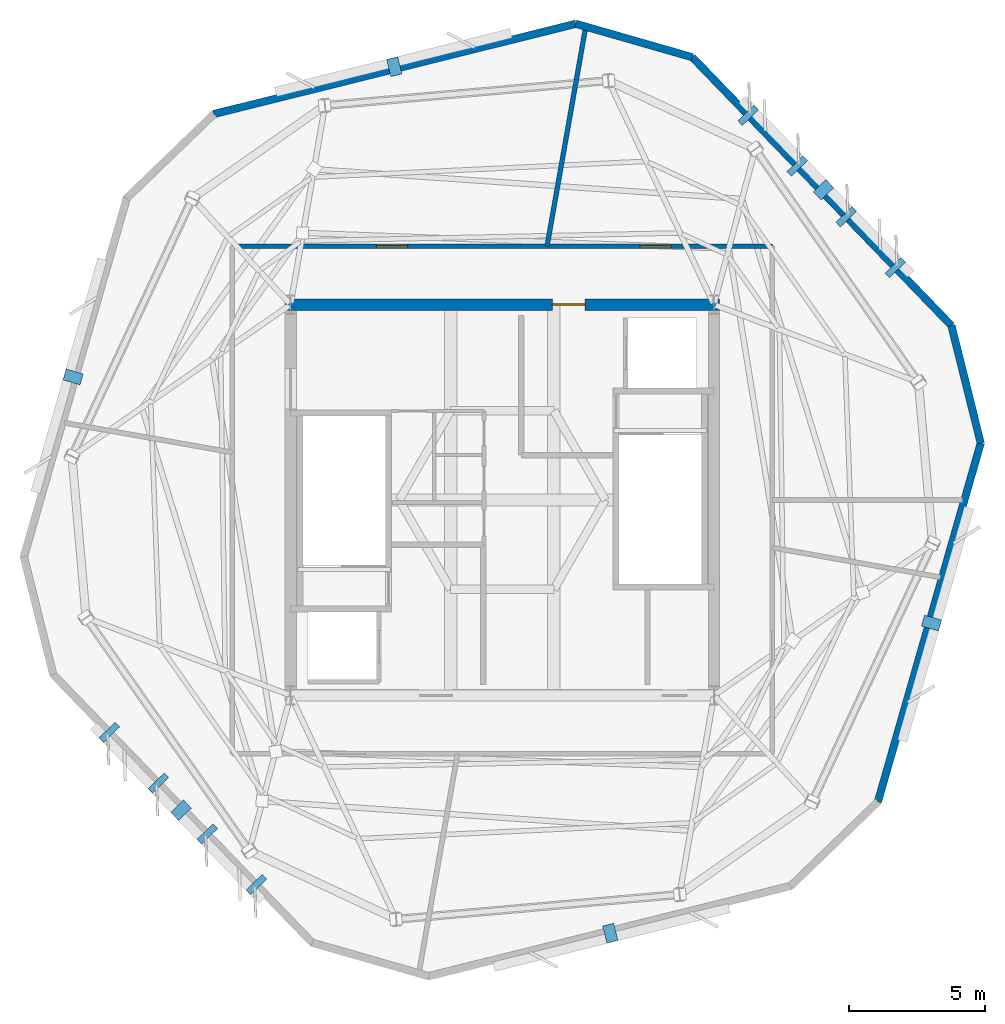
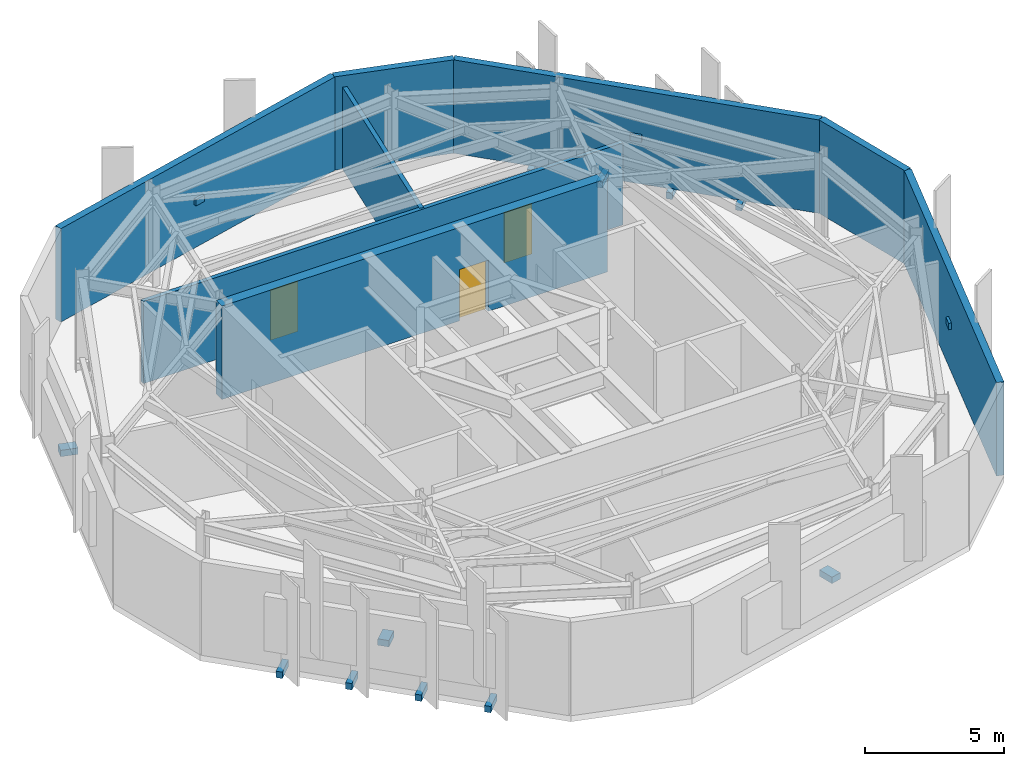
# One storey, part 4 of 5: 14 discrete accessories, 8 walls, 3 doors, 3 openings.
"""IFC4 building model written with IfcOpenShell, lengths in metres."""

from ifc_helpers import new_model, si_unit, direction, frame, frame_2d, origin, origin_2d, place, context, subcontext, project, spatial, rectangle, extrude, material, layer, layer_set, type_object, element, fill, save


model = new_model("IFC4")

# Units and contexts
model_context = context("Model", 3, precision=1e-05, world=origin(), true_north=direction((0.0, 1.0)))
body_context = subcontext(model_context, "Body", "Model", "MODEL_VIEW")
ifc_project = project(units=[si_unit("LENGTHUNIT", "METRE"), si_unit("AREAUNIT", "SQUARE_METRE"), si_unit("VOLUMEUNIT", "CUBIC_METRE"), si_unit("PLANEANGLEUNIT", "RADIAN"), si_unit("MASSUNIT", "GRAM", prefix="KILO")], contexts=[model_context])

# Site, building, storey
site_placement = place(None, origin())
site = spatial("IfcSite", under=ifc_project, at=site_placement, CompositionType="ELEMENT")
building_placement = place(site_placement, origin())
building = spatial("IfcBuilding", under=site, at=building_placement, Name="Kranzbogen Civic Tower", CompositionType="ELEMENT")
storey_placement = place(building_placement, frame((0.0, 0.0, 322.60009765625)))
storey = spatial("IfcBuildingStorey", under=building, at=storey_placement, Name="L78", CompositionType="ELEMENT", Elevation=322.60009765625)

# Wall, opening, door
ifc_material_1 = material(Name="Concrete C45/55", Category="concrete")
ifc_layer_1 = layer(ifc_material_1, 0.419921875, Name="Concrete C45/55")
ifc_layer_set_1 = layer_set([ifc_layer_1], Name="Concrete C45/55")
wall_type_1 = type_object("IfcWallType", Name="Central Core Shear Wall 420 mm", PredefinedType="SHEAR", material=ifc_layer_set_1)
wall_1_placement = place(storey_placement, frame((33.010009765625, 32.199951171875, 0.0), z_axis=(0.0, 0.0, 1.0), x_axis=(-1.0, 0.0, 0.0)))
wall_1 = element("IfcWall", 1, at=wall_1_placement, inside=storey, type_object=wall_type_1, Name="L78 central core North shear wall", PredefinedType="SHEAR", context=body_context, shape_type="SweptSolid", body=[
    extrude(rectangle(XDim=16.02001953125, YDim=0.419921875, at=frame_2d((8.010009765625, 0.0))), origin(), (0.0, 0.0, 1.0), 4.099853515625),
])
opening_1_placement = place(wall_1_placement, frame((4.9599609375, 0.0, 0.0)))
opening_1 = element("IfcOpeningElement", 2, at=opening_1_placement, cuts=wall_1, Name="Opening D-EX120", PredefinedType="OPENING", context=body_context, shape_type="SweptSolid", body=[
    extrude(rectangle(XDim=1.199951171875, YDim=2.25, at=frame_2d((0.60009765625, 1.125))), frame((0.0, 0.219970703125, 0.0), z_axis=(0.0, -1.0, 0.0), x_axis=(1.0, 0.0, 0.0)), (0.0, 0.0, 1.0), 0.43994140625),
])
ifc_material_2 = material(Name="Steel S355", Category="steel")
door_type_1 = type_object("IfcDoorType", Name="Exit Passageway Fire Door 1200x2250", OperationType="NOTDEFINED", PredefinedType="DOOR", material=ifc_material_2)
door_1_placement = place(opening_1_placement, origin())
door_1 = element("IfcDoor", 3, at=door_1_placement, inside=storey, type_object=door_type_1, Name="L78 East firefighting lobby corridor door", OperationType="SINGLE_SWING_RIGHT", OverallHeight=2.25, OverallWidth=1.199951171875, PredefinedType="DOOR", context=body_context, shape_type="SweptSolid", body=[
    extrude(rectangle(XDim=1.199951171875, YDim=2.25, at=frame_2d((0.60009765625, 1.125))), frame((0.0, 0.02490234375, 0.0), z_axis=(0.0, -1.0, 0.0), x_axis=(1.0, 0.0, 0.0)), (0.0, 0.0, 1.0), 0.050048828125),
])
fill(opening_1, door_1)

# Wall, openings, doors
ifc_material_3 = material(Name="Gypsum Fireboard Shaftliner")
ifc_layer_2 = layer(ifc_material_3, 0.175048828125, Name="Gypsum Fireboard Shaftliner")
ifc_layer_set_2 = layer_set([ifc_layer_2], Name="Gypsum Fireboard Shaftliner")
wall_type_2 = type_object("IfcWallType", Name="Fire-Rated Lift and Service Shaft Wall 175 mm", PredefinedType="PARTITIONING", material=ifc_layer_set_2)
wall_2_placement = place(storey_placement, frame((15.050048828125, 34.35009765625, 0.0), z_axis=(0.0, 0.0, 1.0), x_axis=(1.0, 0.0, 0.0)))
wall_2 = element("IfcWall", 4, at=wall_2_placement, inside=storey, type_object=wall_type_2, Name="L78 corridor partition 01", PredefinedType="PARTITIONING", context=body_context, shape_type="SweptSolid", body=[
    extrude(rectangle(XDim=19.89990234375, YDim=0.175048828125, at=frame_2d((9.949951171875, 0.0))), origin(), (0.0, 0.0, 1.0), 3.599853515625),
])
opening_2_placement = place(wall_2_placement, frame((15.01611328125, 0.0, 0.0)))
opening_2 = element("IfcOpeningElement", 5, at=opening_2_placement, cuts=wall_2, Name="Opening D-ST90", PredefinedType="OPENING", context=body_context, shape_type="SweptSolid", body=[
    extrude(rectangle(XDim=1.14990234375, YDim=2.199951171875, at=frame_2d((0.574951171875, 1.10009765625))), frame((0.0, 0.09765625, 0.0), z_axis=(0.0, -1.0, 0.0), x_axis=(1.0, 0.0, 0.0)), (0.0, 0.0, 1.0), 0.195068359375),
])
opening_3_placement = place(wall_2_placement, frame((5.31005859375, 0.0, 0.0)))
opening_3 = element("IfcOpeningElement", 6, at=opening_3_placement, cuts=wall_2, Name="Opening D-ST90", PredefinedType="OPENING", context=body_context, shape_type="SweptSolid", body=[
    extrude(rectangle(XDim=1.14990234375, YDim=2.199951171875, at=frame_2d((0.574951171875, 1.10009765625))), frame((0.0, 0.09765625, 0.0), z_axis=(0.0, -1.0, 0.0), x_axis=(1.0, 0.0, 0.0)), (0.0, 0.0, 1.0), 0.195068359375),
])
door_type_2 = type_object("IfcDoorType", Name="Pressurized Stair and Lobby Fire Door 1150x2200", OperationType="NOTDEFINED", PredefinedType="DOOR", material=ifc_material_2)
door_2_placement = place(opening_2_placement, origin())
door_2 = element("IfcDoor", 7, at=door_2_placement, inside=storey, type_object=door_type_2, Name="L78 High-Zone Booster Pump and Heat Recovery Plant door", OperationType="SINGLE_SWING_RIGHT", OverallHeight=2.199951171875, OverallWidth=1.14990234375, PredefinedType="DOOR", context=body_context, shape_type="SweptSolid", body=[
    extrude(rectangle(XDim=1.14990234375, YDim=2.199951171875, at=frame_2d((0.574951171875, 1.10009765625))), frame((0.0, 0.02490234375, 0.0), z_axis=(0.0, -1.0, 0.0), x_axis=(1.0, 0.0, 0.0)), (0.0, 0.0, 1.0), 0.050048828125),
])
fill(opening_2, door_2)
door_3_placement = place(opening_3_placement, origin())
door_3 = element("IfcDoor", 8, at=door_3_placement, inside=storey, type_object=door_type_2, Name="L78 Crown Standby UPS and Control Room door", OperationType="SINGLE_SWING_LEFT", OverallHeight=2.199951171875, OverallWidth=1.14990234375, PredefinedType="DOOR", context=body_context, shape_type="SweptSolid", body=[
    extrude(rectangle(XDim=1.14990234375, YDim=2.199951171875, at=frame_2d((0.574951171875, 1.10009765625))), frame((0.0, 0.02490234375, 0.0), z_axis=(0.0, -1.0, 0.0), x_axis=(1.0, 0.0, 0.0)), (0.0, 0.0, 1.0), 0.050048828125),
])
fill(opening_3, door_3)

# Walls
wall_3_placement = place(storey_placement, frame((26.64892578125, 34.35009765625, 0.0), z_axis=(0.0, 0.0, 1.0), x_axis=(0.173619687581, 0.984812776158, 0.0)))
element("IfcWall", 9, at=wall_3_placement, inside=storey, type_object=wall_type_2, Name="L78 radial room partition 01", PredefinedType="PARTITIONING", context=body_context, shape_type="SweptSolid", body=[
    extrude(rectangle(XDim=8.15576171875, YDim=0.175048828125, at=frame_2d((4.077880859375, 0.0))), origin(), (0.0, 0.0, 1.0), 3.599853515625),
])
ifc_material_4 = material(Name="Pale Anodised Aluminium", Category="aluminium")
ifc_layer_3 = layer(ifc_material_4, 0.280029296875, Name="Pale Anodised Aluminium")
ifc_layer_set_3 = layer_set([ifc_layer_3], Name="Pale Anodised Aluminium")
wall_type_3 = type_object("IfcWallType", Name="Plant Acoustic Insulated Spandrel Wall 280 mm", PredefinedType="STANDARD", material=ifc_layer_set_3)
wall_4_placement = place(storey_placement, frame((27.7099609375, 42.548095703125, 0.0), z_axis=(0.0, 0.0, 1.0), x_axis=(-0.970292733591, -0.241933898288, 0.0)))
element("IfcWall", 10, at=wall_4_placement, inside=storey, type_object=wall_type_3, Name="L78 mechanical plant spandrel wall M1", PredefinedType="STANDARD", context=body_context, shape_type="SweptSolid", body=[
    extrude(rectangle(XDim=13.748291015625, YDim=0.280029296875, at=frame_2d((6.8740234375, 0.0))), origin(), (0.0, 0.0, 1.0), 4.099853515625),
])
wall_5_placement = place(storey_placement, frame((38.842041015625, 13.8798828125, 0.0), z_axis=(0.0, 0.0, 1.0), x_axis=(0.275616991697, 0.961267535022, 0.0)))
element("IfcWall", 11, at=wall_5_placement, inside=storey, type_object=wall_type_3, Name="L78 mechanical plant spandrel wall M5", PredefinedType="STANDARD", context=body_context, shape_type="SweptSolid", body=[
    extrude(rectangle(XDim=13.74755859375, YDim=0.280029296875, at=frame_2d((6.873779296875, 0.0))), origin(), (0.0, 0.0, 1.0), 4.099853515625),
])
wall_6_placement = place(storey_placement, frame((42.631103515625, 27.094970703125, 0.0), z_axis=(0.0, 0.0, 1.0), x_axis=(-0.241917978668, 0.970296702868, 0.0)))
element("IfcWall", 12, at=wall_6_placement, inside=storey, type_object=wall_type_3, Name="L78 mechanical plant spandrel wall C5", PredefinedType="STANDARD", context=body_context, shape_type="SweptSolid", body=[
    extrude(rectangle(XDim=4.464599609375, YDim=0.280029296875, at=frame_2d((2.232421875, 0.0))), origin(), (0.0, 0.0, 1.0), 4.099853515625),
])
wall_7_placement = place(storey_placement, frame((41.551025390625, 31.427001953125, 0.0), z_axis=(0.0, 0.0, 1.0), x_axis=(-0.69463919692, 0.719358315516, 0.0)))
element("IfcWall", 13, at=wall_7_placement, inside=storey, type_object=wall_type_3, Name="L78 mechanical plant spandrel wall M6", PredefinedType="STANDARD", context=body_context, shape_type="SweptSolid", body=[
    extrude(rectangle(XDim=13.748291015625, YDim=0.280029296875, at=frame_2d((6.8740234375, 0.0))), origin(), (0.0, 0.0, 1.0), 4.099853515625),
])
wall_8_placement = place(storey_placement, frame((32.0009765625, 41.31689453125, 0.0), z_axis=(0.0, 0.0, 1.0), x_axis=(-0.961215848043, 0.275797196272, 0.0)))
element("IfcWall", 14, at=wall_8_placement, inside=storey, type_object=wall_type_3, Name="L78 mechanical plant spandrel wall C6", PredefinedType="STANDARD", context=body_context, shape_type="SweptSolid", body=[
    extrude(rectangle(XDim=4.464111328125, YDim=0.280029296875, at=frame_2d((2.23193359375, 0.0))), origin(), (0.0, 0.0, 1.0), 4.099853515625),
])

# Discrete accessories
discrete_accessory_type = type_object("IfcDiscreteAccessoryType", Name="Structural Curtain-Wall Fin Support Bracket", PredefinedType="BRACKET", material=ifc_material_2)
for number, where, z_axis, x_axis, name in (
    (15, (21.02099609375, 40.962890625, 1.90966796875), (0.0, 0.0, 1.0), (-0.2419218956, 0.970295726276, 0.0), "L78 louvre mounting bracket 1"),
    (16, (9.18701171875, 29.534912109375, 1.90966796875), (0.0, 0.0, 1.0), (-0.961261695938, 0.275637355817, 0.0), "L78 louvre mounting bracket 2"),
    (17, (13.166015625, 13.572021484375, 1.90966796875), (0.0, 0.0, 1.0), (-0.719339800339, -0.694658370459, 0.0), "L78 louvre mounting bracket 3"),
):
    element("IfcDiscreteAccessory", number, at=place(storey_placement, frame(where, z_axis=z_axis, x_axis=x_axis)), inside=storey, type_object=discrete_accessory_type, Name=name, PredefinedType="BRACKET", context=body_context, shape_type="SweptSolid", body=[
        extrude(rectangle(XDim=0.64990234375, YDim=0.419921875, at=origin_2d()), origin(), (0.0, 0.0, 1.0), 0.280029296875),
    ])
for number, where, z_axis, x_axis, name in (
    (18, (10.52294921875, 16.44091796875, -0.25), (0.0, 0.0, 1.0), (-0.719339800339, -0.694658370459, 0.0), "L78 facade fin support bracket F3-1"),
    (19, (12.3291015625, 14.570068359375, -0.25), (0.0, 0.0, 1.0), (-0.719339800339, -0.694658370459, 0.0), "L78 facade fin support bracket F3-2"),
    (20, (14.135009765625, 12.699951171875, -0.25), (0.0, 0.0, 1.0), (-0.719339800339, -0.694658370459, 0.0), "L78 facade fin support bracket F3-3"),
    (21, (15.94091796875, 10.830078125, -0.25), (0.0, 0.0, 1.0), (-0.719339800339, -0.694658370459, 0.0), "L78 facade fin support bracket F3-4"),
):
    element("IfcDiscreteAccessory", number, at=place(storey_placement, frame(where, z_axis=z_axis, x_axis=x_axis)), inside=storey, type_object=discrete_accessory_type, Name=name, PredefinedType="BRACKET", context=body_context, shape_type="SweptSolid", body=[
        extrude(rectangle(XDim=0.820068359375, YDim=0.239990234375, at=origin_2d()), origin(), (0.0, 0.0, 1.0), 0.280029296875),
    ])
for number, where, z_axis, x_axis, name in (
    (22, (28.97900390625, 9.037109375, 1.90966796875), (0.0, 0.0, 1.0), (0.2419218956, -0.970295726276, 0.0), "L78 louvre mounting bracket 4"),
    (23, (40.81298828125, 20.465087890625, 1.90966796875), (0.0, 0.0, 1.0), (0.961261695938, -0.275637355817, 0.0), "L78 louvre mounting bracket 5"),
    (24, (36.833984375, 36.427978515625, 1.90966796875), (0.0, 0.0, 1.0), (0.719339800339, 0.694658370459, 0.0), "L78 louvre mounting bracket 6"),
):
    element("IfcDiscreteAccessory", number, at=place(storey_placement, frame(where, z_axis=z_axis, x_axis=x_axis)), inside=storey, type_object=discrete_accessory_type, Name=name, PredefinedType="BRACKET", context=body_context, shape_type="SweptSolid", body=[
        extrude(rectangle(XDim=0.64990234375, YDim=0.419921875, at=origin_2d()), origin(), (0.0, 0.0, 1.0), 0.280029296875),
    ])
for number, where, z_axis, x_axis, name in (
    (25, (39.47705078125, 33.55908203125, -0.25), (0.0, 0.0, 1.0), (0.719339800339, 0.694658370459, 0.0), "L78 facade fin support bracket F6-1"),
    (26, (37.6708984375, 35.429931640625, -0.25), (0.0, 0.0, 1.0), (0.719339800339, 0.694658370459, 0.0), "L78 facade fin support bracket F6-2"),
    (27, (35.864990234375, 37.300048828125, -0.25), (0.0, 0.0, 1.0), (0.719339800339, 0.694658370459, 0.0), "L78 facade fin support bracket F6-3"),
    (28, (34.05908203125, 39.169921875, -0.25), (0.0, 0.0, 1.0), (0.719339800339, 0.694658370459, 0.0), "L78 facade fin support bracket F6-4"),
):
    element("IfcDiscreteAccessory", number, at=place(storey_placement, frame(where, z_axis=z_axis, x_axis=x_axis)), inside=storey, type_object=discrete_accessory_type, Name=name, PredefinedType="BRACKET", context=body_context, shape_type="SweptSolid", body=[
        extrude(rectangle(XDim=0.820068359375, YDim=0.239990234375, at=origin_2d()), origin(), (0.0, 0.0, 1.0), 0.280029296875),
    ])

save(model, "model.ifc")
